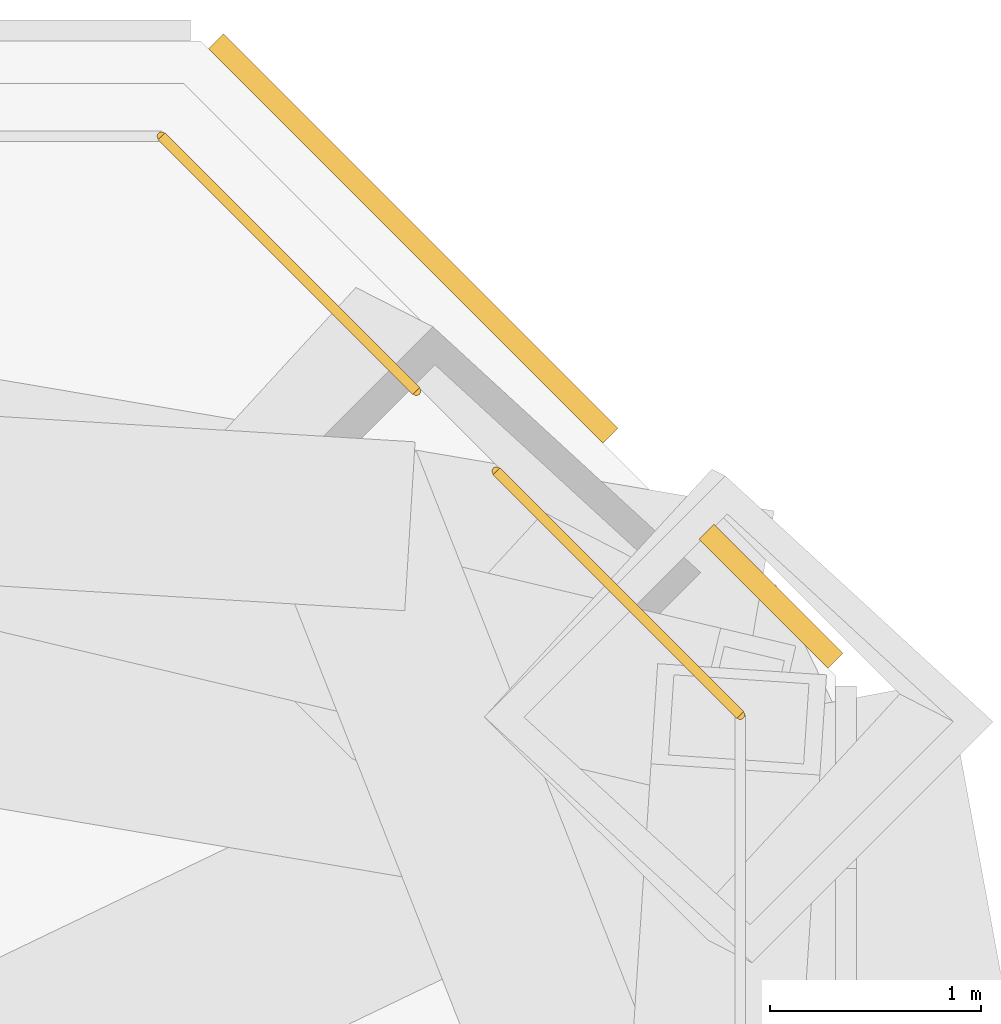
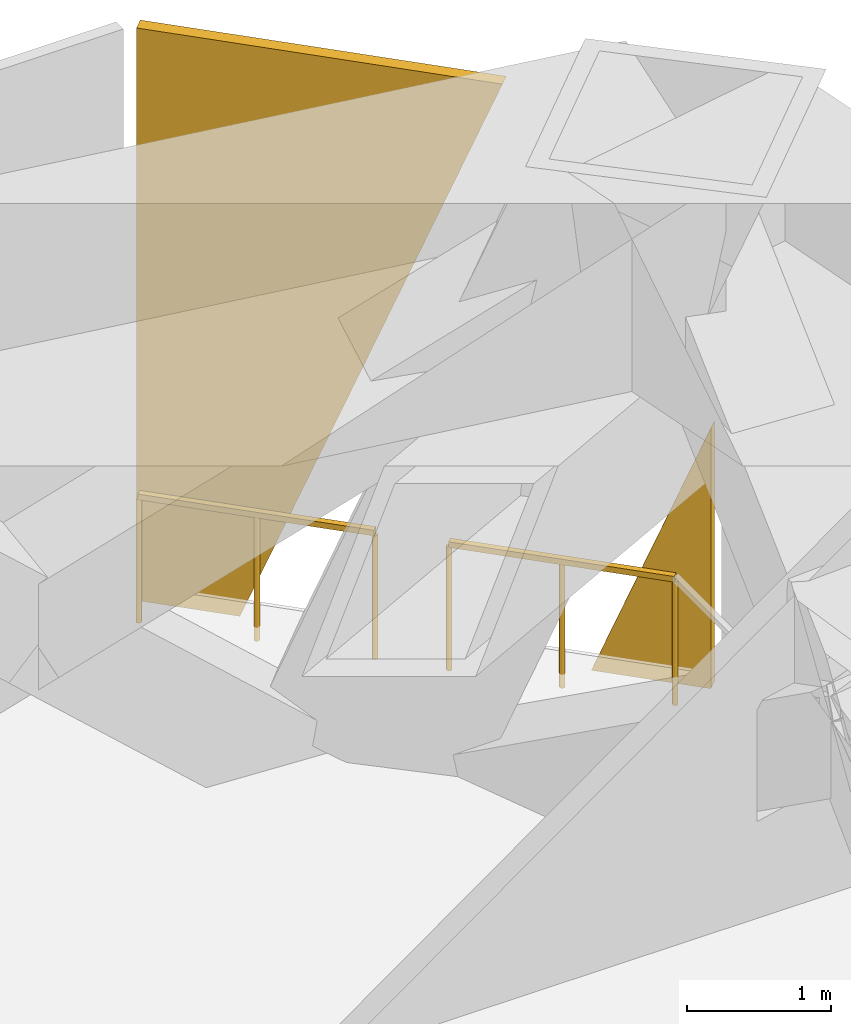
# One storey, part 9 of 9: 2 railings, 2 shading devices.
"""IFC4 building model written with IfcOpenShell, lengths in metres."""

from ifc_helpers import new_model, si_unit, direction, frame, origin, origin_2d, place, context, subcontext, project, spatial, polyline, rectangle, circle, outline, extrude, material, layer, layer_set, type_object, element, save


model = new_model("IFC4")

# Units and contexts
model_context = context("Model", 3, precision=1e-05, world=origin(), true_north=direction((0.0, 1.0)))
body_context = subcontext(model_context, "Body", "Model", "MODEL_VIEW")
ifc_project = project(units=[si_unit("LENGTHUNIT", "METRE"), si_unit("AREAUNIT", "SQUARE_METRE"), si_unit("VOLUMEUNIT", "CUBIC_METRE"), si_unit("PLANEANGLEUNIT", "RADIAN"), si_unit("MASSUNIT", "GRAM", prefix="KILO")], contexts=[model_context])

# Site, building, storey
site_placement = place(None, origin())
site = spatial("IfcSite", under=ifc_project, at=site_placement, CompositionType="ELEMENT")
building_placement = place(site_placement, origin())
building = spatial("IfcBuilding", under=site, at=building_placement, Name="Jalousie Tower", CompositionType="ELEMENT")
storey_placement = place(building_placement, frame((0.0, 0.0, 212.949951171875)))
storey = spatial("IfcBuildingStorey", under=building, at=storey_placement, Name="L58", CompositionType="ELEMENT", Elevation=212.949951171875)

# Railings
ifc_material_1 = material(Name="Stainless steel AISI 316", Category="steel")
railing_type = type_object("IfcRailingType", Name="PLANT GUARDRAIL 1100", PredefinedType="GUARDRAIL", material=ifc_material_1)
railing_1_placement = place(storey_placement, frame((51.563720703125, 34.550048828125, 0.0)))
element("IfcRailing", 1, at=railing_1_placement, inside=storey, type_object=railing_type, Name="Plant floor guard L58 10", PredefinedType="GUARDRAIL", context=body_context, shape_type="SweptSolid", body=[
    extrude(rectangle(XDim=0.048095703125, YDim=0.048095703125, at=origin_2d()), frame((0.0, 0.0, 1.076171875), z_axis=(0.707106781187, -0.707106781187, 0.0), x_axis=(0.707106781187, 0.707106781187, 0.0)), (0.0, 0.0, 1.0), 1.703125),
    extrude(circle(Radius=0.02099609375, at=origin_2d()), origin(), (0.0, 0.0, 1.0), 1.052001953125),
    extrude(circle(Radius=0.02099609375, at=origin_2d()), frame((0.60205078125, -0.60205078125, 0.0)), (0.0, 0.0, 1.0), 1.052001953125),
    extrude(circle(Radius=0.02099609375, at=origin_2d()), frame((1.204345703125, -1.204345703125, 0.0)), (0.0, 0.0, 1.0), 1.052001953125),
])
railing_2_placement = place(storey_placement, frame((53.147216796875, 32.96630859375, 0.0)))
element("IfcRailing", 2, at=railing_2_placement, inside=storey, type_object=railing_type, Name="Plant floor guard L58 11", PredefinedType="GUARDRAIL", context=body_context, shape_type="SweptSolid", body=[
    extrude(rectangle(XDim=0.048095703125, YDim=0.048095703125, at=origin_2d()), frame((0.0, 0.0, 1.076171875), z_axis=(0.707181658803, -0.70703189564, 0.0), x_axis=(0.70703189564, 0.707181658803, 0.0)), (0.0, 0.0, 1.0), 1.630126953125),
    extrude(circle(Radius=0.02099609375, at=origin_2d()), origin(), (0.0, 0.0, 1.0), 1.052001953125),
    extrude(circle(Radius=0.02099609375, at=origin_2d()), frame((0.576416015625, -0.576171875, 0.0)), (0.0, 0.0, 1.0), 1.052001953125),
    extrude(circle(Radius=0.02099609375, at=origin_2d()), frame((1.15283203125, -1.152587890625, 0.0)), (0.0, 0.0, 1.0), 1.052001953125),
])

# Shading devices
ifc_material_2 = material(Name="Aluminium storm louvres", Category="aluminium")
ifc_layer = layer(ifc_material_2, 0.10009765625)
ifc_layer_set = layer_set([ifc_layer], Name="Aluminium storm louvres")
shading_device_type = type_object("IfcShadingDeviceType", Name="PLANT LOUVRE SCREEN", PredefinedType="JALOUSIE", material=ifc_layer_set)
shading_device_1_placement = place(storey_placement, frame((54.785400390625, 32.106201171875, -0.14990234375), z_axis=(0.707106781187, 0.707106781187, 0.0), x_axis=(-0.707106781187, 0.707106781187, 0.0)))
element("IfcShadingDevice", 3, at=shading_device_1_placement, inside=storey, type_object=shading_device_type, Name="Plant louvre screen L58 5", PredefinedType="JALOUSIE", context=body_context, shape_type="SweptSolid", body=[
    extrude(outline(polyline([(0.0, 0.0), (0.8621316565541061, 0.0), (0.0, 2.216552734375), (0.0, 0.0)])), origin(), (0.0, 0.0, -1.0), 0.10009765625),
])
shading_device_2_placement = place(storey_placement, frame((51.856201171875, 35.035400390625, 4.719970703125), z_axis=(0.707142844242, 0.707070716249, 7.806905e-06), x_axis=(0.70707071627, -0.707142844263, 1.12e-10)))
element("IfcShadingDevice", 4, at=shading_device_2_placement, inside=storey, type_object=shading_device_type, Name="Plant louvre screen L58 6", PredefinedType="JALOUSIE", context=body_context, shape_type="SweptSolid", body=[
    extrude(outline(polyline([(0.0, 0.0), (2.6393934569248696, 0.0), (0.7454314147825365, 4.86987304710723), (-5.476321668474327e-10, 4.869873046726596), (0.0, 0.0)])), origin(), (0.0, 0.0, -1.0), 0.10009765625),
])

save(model, "model.ifc")
